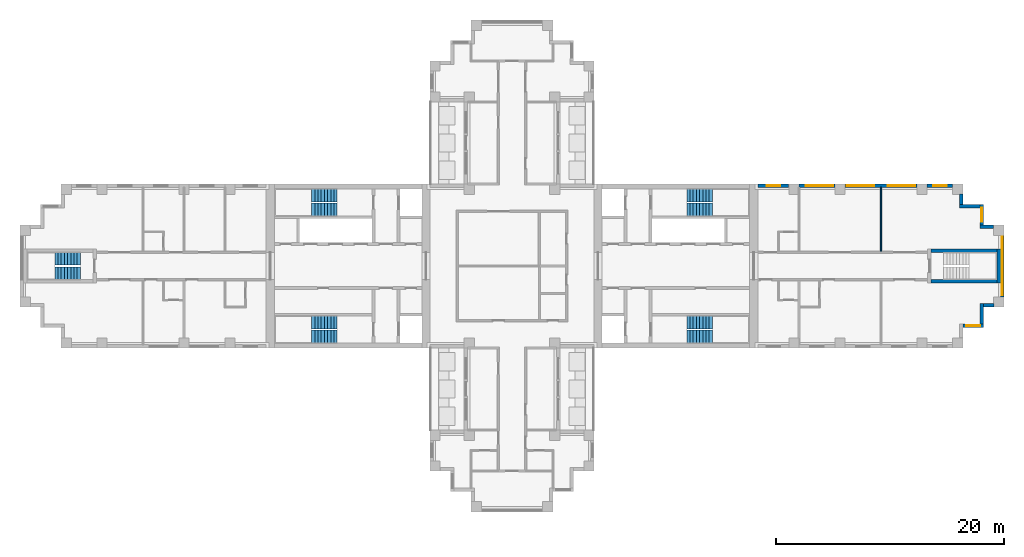
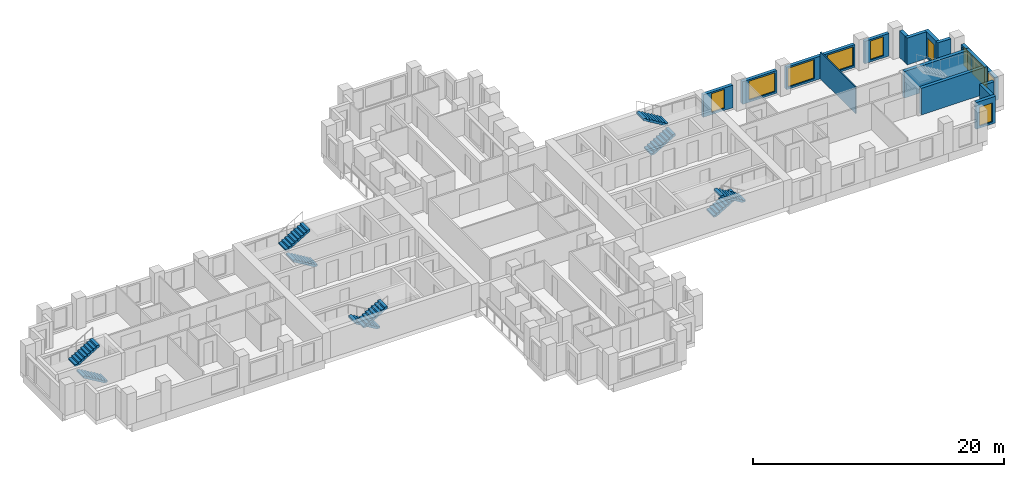
# One storey, part 9 of 12: 16 walls, 10 stair flights, 10 windows, 10 openings, 5 elements without a shape of their own.
"""IFC4 building model written with IfcOpenShell, lengths in metres."""

from ifc_helpers import new_model, si_unit, direction, frame, frame_2d, origin, place, context, subcontext, project, spatial, polyline, rectangle, outline, extrude, material, layer, layer_set, type_object, element, fill, aggregate, save


model = new_model("IFC4")

# Units and contexts
model_context = context("Model", 3, precision=1e-05, world=origin(), true_north=direction((0.0, 1.0)))
body_context = subcontext(model_context, "Body", "Model", "MODEL_VIEW")
ifc_project = project(units=[si_unit("LENGTHUNIT", "METRE"), si_unit("AREAUNIT", "SQUARE_METRE"), si_unit("VOLUMEUNIT", "CUBIC_METRE"), si_unit("PLANEANGLEUNIT", "RADIAN"), si_unit("MASSUNIT", "GRAM", prefix="KILO")], contexts=[model_context])

# Site, building, storey
site_placement = place(None, origin())
site = spatial("IfcSite", under=ifc_project, at=site_placement, CompositionType="ELEMENT")
building_placement = place(site_placement, origin())
building = spatial("IfcBuilding", under=site, at=building_placement, Name="Fustian Cross Tower", CompositionType="ELEMENT")
storey_placement = place(building_placement, frame((0.0, 0.0, 132.300048828125)))
storey = spatial("IfcBuildingStorey", under=building, at=storey_placement, Name="L41", CompositionType="ELEMENT", Elevation=132.300048828125)

# Walls
ifc_material_1 = material(Name="Plasterboard on steel stud", Category="steel")
ifc_layer_1 = layer(ifc_material_1, 0.10009765625)
ifc_layer_set_1 = layer_set([ifc_layer_1], Name="Plasterboard on steel stud")
wall_type_1 = type_object("IfcWallType", Name="PARTITION 100 STUD", PredefinedType="PARTITIONING", material=ifc_layer_set_1)
wall_1_placement = place(storey_placement, frame((32.39990234375, 1.27490234375, 0.0), z_axis=(0.0, 0.0, 1.0), x_axis=(0.0, 1.0, 0.0)))
element("IfcWall", 1, at=wall_1_placement, inside=storey, type_object=wall_type_1, Name="Partition 61", PredefinedType="PARTITIONING", context=body_context, shape_type="SweptSolid", body=[
    extrude(rectangle(XDim=5.625, YDim=0.10009765625, at=frame_2d((2.8125, 0.0))), origin(), (0.0, 0.0, 1.0), 2.599853515625),
])
ifc_material_2 = material(Name="Concrete C50/60", Category="concrete")
ifc_layer_2 = layer(ifc_material_2, 0.300048828125)
ifc_layer_set_2 = layer_set([ifc_layer_2], Name="Concrete C50/60")
wall_type_2 = type_object("IfcWallType", Name="STAIR ENCLOSURE WALL 300 C50/60", PredefinedType="SHEAR", material=ifc_layer_set_2)
wall_2_placement = place(storey_placement, frame((42.75, -1.5, 0.0), z_axis=(0.0, 0.0, 1.0), x_axis=(0.0, 1.0, 0.0)))
element("IfcWall", 2, at=wall_2_placement, inside=storey, type_object=wall_type_2, Name="Stair enclosure wall", PredefinedType="SHEAR", context=body_context, shape_type="SweptSolid", body=[
    extrude(rectangle(XDim=3.0, YDim=0.300048828125, at=frame_2d((1.5, 0.0))), origin(), (0.0, 0.0, 1.0), 2.599853515625),
])
for number, where, z_axis, x_axis, name in (
    (3, (36.800048828125, -1.35009765625, 0.0), (0.0, 0.0, 1.0), (1.0, 0.0, 0.0), "Stair enclosure wall"),
    (4, (36.800048828125, 1.35009765625, 0.0), (0.0, 0.0, 1.0), (1.0, 0.0, 0.0), "Stair enclosure wall"),
):
    element("IfcWall", number, at=place(storey_placement, frame(where, z_axis=z_axis, x_axis=x_axis)), inside=storey, type_object=wall_type_2, Name=name, PredefinedType="SHEAR", context=body_context, shape_type="SweptSolid", body=[
        extrude(rectangle(XDim=5.800048828125, YDim=0.300048828125, at=frame_2d((2.89990234375, 0.0))), origin(), (0.0, 0.0, 1.0), 2.599853515625),
    ])

# Wall, opening, window
ifc_material_3 = material(Name="Dark aluminium cladding on insulated backing wall", Category="aluminium")
ifc_layer_3 = layer(ifc_material_3, 0.300048828125)
ifc_layer_set_3 = layer_set([ifc_layer_3], Name="Dark aluminium cladding on insulated backing wall")
wall_type_3 = type_object("IfcWallType", Name="XW1 EXTERNAL WALL 300", PredefinedType="SOLIDWALL", material=ifc_layer_set_3)
wall_3_placement = place(storey_placement, frame((39.60009765625, -5.25, 0.0), z_axis=(0.0, 0.0, 1.0), x_axis=(1.0, 0.0, 0.0)))
wall_3 = element("IfcWall", 5, at=wall_3_placement, inside=storey, type_object=wall_type_3, Name="External wall", PredefinedType="SOLIDWALL", context=body_context, shape_type="SweptSolid", body=[
    extrude(rectangle(XDim=1.7998046875, YDim=0.300048828125, at=frame_2d((0.89990234375, 0.0))), origin(), (0.0, 0.0, 1.0), 2.599853515625),
])
opening_1_placement = place(wall_3_placement, frame((0.300048828125, 0.0, 0.199951171875)))
opening_1 = element("IfcOpeningElement", 6, at=opening_1_placement, cuts=wall_3, Name="Opening WN3", PredefinedType="OPENING", context=body_context, shape_type="SweptSolid", body=[
    extrude(rectangle(XDim=1.199951171875, YDim=1.85009765625, at=frame_2d((0.60009765625, 0.925048828125))), frame((0.0, 0.159912109375, 0.0), z_axis=(0.0, -1.0, 0.0), x_axis=(1.0, 0.0, 0.0)), (0.0, 0.0, 1.0), 0.320068359375),
])
ifc_material_4 = material(Name="Dark anodised aluminium and double glazing", Category="aluminium")
window_type_1 = type_object("IfcWindowType", Name="WN3 WINDOW 1200X1850", PartitioningType="SINGLE_PANEL", PredefinedType="WINDOW", material=ifc_material_4)
window_1_placement = place(opening_1_placement, origin())
window_1 = element("IfcWindow", 7, at=window_1_placement, inside=storey, type_object=window_type_1, Name="Window", OverallHeight=1.85009765625, OverallWidth=1.199951171875, PartitioningType="SINGLE_PANEL", PredefinedType="WINDOW", context=body_context, shape_type="SweptSolid", body=[
    extrude(rectangle(XDim=1.199951171875, YDim=1.85009765625, at=frame_2d((0.60009765625, 0.925048828125))), frame((0.0, 0.030029296875, 0.0), z_axis=(0.0, -1.0, 0.0), x_axis=(1.0, 0.0, 0.0)), (0.0, 0.0, 1.0), 0.06005859375),
])
fill(opening_1, window_1)

# Walls
wall_4_placement = place(storey_placement, frame((41.25, -5.10009765625, 0.0), z_axis=(0.0, 0.0, 1.0), x_axis=(0.0, 1.0, 0.0)))
element("IfcWall", 8, at=wall_4_placement, inside=storey, type_object=wall_type_3, Name="External wall", PredefinedType="SOLIDWALL", context=body_context, shape_type="SweptSolid", body=[
    extrude(rectangle(XDim=1.800048828125, YDim=0.300048828125, at=frame_2d((0.89990234375, 0.0))), origin(), (0.0, 0.0, 1.0), 2.599853515625),
])
wall_5_placement = place(storey_placement, frame((41.39990234375, -3.449951171875, 0.0), z_axis=(0.0, 0.0, 1.0), x_axis=(1.0, 0.0, 0.0)))
element("IfcWall", 9, at=wall_5_placement, inside=storey, type_object=wall_type_3, Name="External wall", PredefinedType="SOLIDWALL", context=body_context, shape_type="SweptSolid", body=[
    extrude(rectangle(XDim=0.900146484375, YDim=0.300048828125, at=frame_2d((0.4501953125, 0.0))), origin(), (0.0, 0.0, 1.0), 2.599853515625),
])

# Wall, openings, windows
wall_6_placement = place(storey_placement, frame((43.050048828125, -2.699951171875, 0.0), z_axis=(0.0, 0.0, 1.0), x_axis=(0.0, 1.0, 0.0)))
wall_6 = element("IfcWall", 10, at=wall_6_placement, inside=storey, type_object=wall_type_3, Name="External wall", PredefinedType="SOLIDWALL", context=body_context, shape_type="SweptSolid", body=[
    extrude(rectangle(XDim=5.39990234375, YDim=0.300048828125, at=frame_2d((2.699951171875, 0.0))), origin(), (0.0, 0.0, 1.0), 2.199951171875),
])
opening_2_placement = place(wall_6_placement, frame((1.5, 0.0, 0.199951171875)))
opening_2 = element("IfcOpeningElement", 11, at=opening_2_placement, cuts=wall_6, Name="Opening WN1", PredefinedType="OPENING", context=body_context, shape_type="SweptSolid", body=[
    extrude(rectangle(XDim=2.39990234375, YDim=1.85009765625, at=frame_2d((1.199951171875, 0.925048828125))), frame((0.0, 0.159912109375, 0.0), z_axis=(0.0, -1.0, 0.0), x_axis=(1.0, 0.0, 0.0)), (0.0, 0.0, 1.0), 0.320068359375),
])
opening_3_placement = place(wall_6_placement, frame((0.14990234375, 0.0, 0.199951171875)))
opening_3 = element("IfcOpeningElement", 12, at=opening_3_placement, cuts=wall_6, Name="Opening WN3", PredefinedType="OPENING", context=body_context, shape_type="SweptSolid", body=[
    extrude(rectangle(XDim=1.199951171875, YDim=1.85009765625, at=frame_2d((0.60009765625, 0.925048828125))), frame((0.0, 0.159912109375, 0.0), z_axis=(0.0, -1.0, 0.0), x_axis=(1.0, 0.0, 0.0)), (0.0, 0.0, 1.0), 0.320068359375),
])
opening_4_placement = place(wall_6_placement, frame((4.050048828125, 0.0, 0.199951171875)))
opening_4 = element("IfcOpeningElement", 13, at=opening_4_placement, cuts=wall_6, Name="Opening WN3", PredefinedType="OPENING", context=body_context, shape_type="SweptSolid", body=[
    extrude(rectangle(XDim=1.199951171875, YDim=1.85009765625, at=frame_2d((0.60009765625, 0.925048828125))), frame((0.0, 0.159912109375, 0.0), z_axis=(0.0, -1.0, 0.0), x_axis=(1.0, 0.0, 0.0)), (0.0, 0.0, 1.0), 0.320068359375),
])
ifc_material_5 = material(Name="Dark anodised aluminium and double glazing", Category="aluminium")
window_type_2 = type_object("IfcWindowType", Name="WN1 WINDOW 2400X1850", PartitioningType="SINGLE_PANEL", PredefinedType="WINDOW", material=ifc_material_5)
window_2_placement = place(opening_2_placement, origin())
window_2 = element("IfcWindow", 14, at=window_2_placement, inside=storey, type_object=window_type_2, Name="Window", OverallHeight=1.85009765625, OverallWidth=2.39990234375, PartitioningType="SINGLE_PANEL", PredefinedType="WINDOW", context=body_context, shape_type="SweptSolid", body=[
    extrude(rectangle(XDim=2.39990234375, YDim=1.85009765625, at=frame_2d((1.199951171875, 0.925048828125))), frame((0.0, 0.030029296875, 0.0), z_axis=(0.0, -1.0, 0.0), x_axis=(1.0, 0.0, 0.0)), (0.0, 0.0, 1.0), 0.06005859375),
])
fill(opening_2, window_2)
window_3_placement = place(opening_3_placement, origin())
window_3 = element("IfcWindow", 15, at=window_3_placement, inside=storey, type_object=window_type_1, Name="Window", OverallHeight=1.85009765625, OverallWidth=1.199951171875, PartitioningType="SINGLE_PANEL", PredefinedType="WINDOW", context=body_context, shape_type="SweptSolid", body=[
    extrude(rectangle(XDim=1.199951171875, YDim=1.85009765625, at=frame_2d((0.60009765625, 0.925048828125))), frame((0.0, 0.030029296875, 0.0), z_axis=(0.0, -1.0, 0.0), x_axis=(1.0, 0.0, 0.0)), (0.0, 0.0, 1.0), 0.06005859375),
])
fill(opening_3, window_3)
window_4_placement = place(opening_4_placement, origin())
window_4 = element("IfcWindow", 16, at=window_4_placement, inside=storey, type_object=window_type_1, Name="Window", OverallHeight=1.85009765625, OverallWidth=1.199951171875, PartitioningType="SINGLE_PANEL", PredefinedType="WINDOW", context=body_context, shape_type="SweptSolid", body=[
    extrude(rectangle(XDim=1.199951171875, YDim=1.85009765625, at=frame_2d((0.60009765625, 0.925048828125))), frame((0.0, 0.030029296875, 0.0), z_axis=(0.0, -1.0, 0.0), x_axis=(1.0, 0.0, 0.0)), (0.0, 0.0, 1.0), 0.06005859375),
])
fill(opening_4, window_4)

# Wall
wall_7_placement = place(storey_placement, frame((42.300048828125, 3.449951171875, 0.0), z_axis=(0.0, 0.0, 1.0), x_axis=(-1.0, 0.0, 0.0)))
element("IfcWall", 17, at=wall_7_placement, inside=storey, type_object=wall_type_3, Name="External wall", PredefinedType="SOLIDWALL", context=body_context, shape_type="SweptSolid", body=[
    extrude(rectangle(XDim=1.199951171875, YDim=0.300048828125, at=frame_2d((0.60009765625, 0.0))), origin(), (0.0, 0.0, 1.0), 2.599853515625),
])

# Wall, opening, window
wall_8_placement = place(storey_placement, frame((41.25, 3.60009765625, 0.0), z_axis=(0.0, 0.0, 1.0), x_axis=(0.0, 1.0, 0.0)))
wall_8 = element("IfcWall", 18, at=wall_8_placement, inside=storey, type_object=wall_type_3, Name="External wall", PredefinedType="SOLIDWALL", context=body_context, shape_type="SweptSolid", body=[
    extrude(rectangle(XDim=1.7998046875, YDim=0.300048828125, at=frame_2d((0.89990234375, 0.0))), origin(), (0.0, 0.0, 1.0), 2.599853515625),
])
opening_5_placement = place(wall_8_placement, frame((0.300048828125, 0.0, 0.199951171875)))
opening_5 = element("IfcOpeningElement", 19, at=opening_5_placement, cuts=wall_8, Name="Opening WN3", PredefinedType="OPENING", context=body_context, shape_type="SweptSolid", body=[
    extrude(rectangle(XDim=1.199951171875, YDim=1.85009765625, at=frame_2d((0.60009765625, 0.925048828125))), frame((0.0, 0.159912109375, 0.0), z_axis=(0.0, -1.0, 0.0), x_axis=(1.0, 0.0, 0.0)), (0.0, 0.0, 1.0), 0.320068359375),
])
window_5_placement = place(opening_5_placement, origin())
window_5 = element("IfcWindow", 20, at=window_5_placement, inside=storey, type_object=window_type_1, Name="Window", OverallHeight=1.85009765625, OverallWidth=1.199951171875, PartitioningType="SINGLE_PANEL", PredefinedType="WINDOW", context=body_context, shape_type="SweptSolid", body=[
    extrude(rectangle(XDim=1.199951171875, YDim=1.85009765625, at=frame_2d((0.60009765625, 0.925048828125))), frame((0.0, 0.030029296875, 0.0), z_axis=(0.0, -1.0, 0.0), x_axis=(1.0, 0.0, 0.0)), (0.0, 0.0, 1.0), 0.06005859375),
])
fill(opening_5, window_5)

# Walls
wall_9_placement = place(storey_placement, frame((41.10009765625, 5.25, 0.0), z_axis=(0.0, 0.0, 1.0), x_axis=(-1.0, 0.0, 0.0)))
element("IfcWall", 21, at=wall_9_placement, inside=storey, type_object=wall_type_3, Name="External wall", PredefinedType="SOLIDWALL", context=body_context, shape_type="SweptSolid", body=[
    extrude(rectangle(XDim=1.800048828125, YDim=0.300048828125, at=frame_2d((0.89990234375, 0.0))), origin(), (0.0, 0.0, 1.0), 2.599853515625),
])
wall_10_placement = place(storey_placement, frame((39.449951171875, 5.39990234375, 0.0), z_axis=(0.0, 0.0, 1.0), x_axis=(0.0, 1.0, 0.0)))
element("IfcWall", 22, at=wall_10_placement, inside=storey, type_object=wall_type_3, Name="External wall", PredefinedType="SOLIDWALL", context=body_context, shape_type="SweptSolid", body=[
    extrude(rectangle(XDim=0.900146484375, YDim=0.300048828125, at=frame_2d((0.4501953125, 0.0))), origin(), (0.0, 0.0, 1.0), 2.599853515625),
])

# Wall, opening, window
wall_11_placement = place(storey_placement, frame((38.699951171875, 7.050048828125, 0.0), z_axis=(0.0, 0.0, 1.0), x_axis=(-1.0, 0.0, 0.0)))
wall_11 = element("IfcWall", 23, at=wall_11_placement, inside=storey, type_object=wall_type_3, Name="External wall", PredefinedType="SOLIDWALL", context=body_context, shape_type="SweptSolid", body=[
    extrude(rectangle(XDim=2.25, YDim=0.300048828125, at=frame_2d((1.125, 0.0))), origin(), (0.0, 0.0, 1.0), 2.199951171875),
])
opening_6_placement = place(wall_11_placement, frame((0.52490234375, 0.0, 0.199951171875)))
opening_6 = element("IfcOpeningElement", 24, at=opening_6_placement, cuts=wall_11, Name="Opening WN3", PredefinedType="OPENING", context=body_context, shape_type="SweptSolid", body=[
    extrude(rectangle(XDim=1.199951171875, YDim=1.85009765625, at=frame_2d((0.60009765625, 0.925048828125))), frame((0.0, 0.159912109375, 0.0), z_axis=(0.0, -1.0, 0.0), x_axis=(1.0, 0.0, 0.0)), (0.0, 0.0, 1.0), 0.320068359375),
])
window_6_placement = place(opening_6_placement, origin())
window_6 = element("IfcWindow", 25, at=window_6_placement, inside=storey, type_object=window_type_1, Name="Window", OverallHeight=1.85009765625, OverallWidth=1.199951171875, PartitioningType="SINGLE_PANEL", PredefinedType="WINDOW", context=body_context, shape_type="SweptSolid", body=[
    extrude(rectangle(XDim=1.199951171875, YDim=1.85009765625, at=frame_2d((0.60009765625, 0.925048828125))), frame((0.0, 0.030029296875, 0.0), z_axis=(0.0, -1.0, 0.0), x_axis=(1.0, 0.0, 0.0)), (0.0, 0.0, 1.0), 0.06005859375),
])
fill(opening_6, window_6)

# Wall, openings, windows
wall_12_placement = place(storey_placement, frame((35.550048828125, 7.050048828125, 0.0), z_axis=(0.0, 0.0, 1.0), x_axis=(-1.0, 0.0, 0.0)))
wall_12 = element("IfcWall", 26, at=wall_12_placement, inside=storey, type_object=wall_type_3, Name="External wall", PredefinedType="SOLIDWALL", context=body_context, shape_type="SweptSolid", body=[
    extrude(rectangle(XDim=6.300048828125, YDim=0.300048828125, at=frame_2d((3.14990234375, 0.0))), origin(), (0.0, 0.0, 1.0), 2.199951171875),
])
opening_7_placement = place(wall_12_placement, frame((0.14990234375, 0.0, 0.199951171875)))
opening_7 = element("IfcOpeningElement", 27, at=opening_7_placement, cuts=wall_12, Name="Opening WN1", PredefinedType="OPENING", context=body_context, shape_type="SweptSolid", body=[
    extrude(rectangle(XDim=2.39990234375, YDim=1.85009765625, at=frame_2d((1.199951171875, 0.925048828125))), frame((0.0, 0.159912109375, 0.0), z_axis=(0.0, -1.0, 0.0), x_axis=(1.0, 0.0, 0.0)), (0.0, 0.0, 1.0), 0.320068359375),
])
opening_8_placement = place(wall_12_placement, frame((3.75, 0.0, 0.199951171875)))
opening_8 = element("IfcOpeningElement", 28, at=opening_8_placement, cuts=wall_12, Name="Opening WN1", PredefinedType="OPENING", context=body_context, shape_type="SweptSolid", body=[
    extrude(rectangle(XDim=2.39990234375, YDim=1.85009765625, at=frame_2d((1.199951171875, 0.925048828125))), frame((0.0, 0.159912109375, 0.0), z_axis=(0.0, -1.0, 0.0), x_axis=(1.0, 0.0, 0.0)), (0.0, 0.0, 1.0), 0.320068359375),
])
window_7_placement = place(opening_7_placement, origin())
window_7 = element("IfcWindow", 29, at=window_7_placement, inside=storey, type_object=window_type_2, Name="Window", OverallHeight=1.85009765625, OverallWidth=2.39990234375, PartitioningType="SINGLE_PANEL", PredefinedType="WINDOW", context=body_context, shape_type="SweptSolid", body=[
    extrude(rectangle(XDim=2.39990234375, YDim=1.85009765625, at=frame_2d((1.199951171875, 0.925048828125))), frame((0.0, 0.030029296875, 0.0), z_axis=(0.0, -1.0, 0.0), x_axis=(1.0, 0.0, 0.0)), (0.0, 0.0, 1.0), 0.06005859375),
])
fill(opening_7, window_7)
window_8_placement = place(opening_8_placement, origin())
window_8 = element("IfcWindow", 30, at=window_8_placement, inside=storey, type_object=window_type_2, Name="Window", OverallHeight=1.85009765625, OverallWidth=2.39990234375, PartitioningType="SINGLE_PANEL", PredefinedType="WINDOW", context=body_context, shape_type="SweptSolid", body=[
    extrude(rectangle(XDim=2.39990234375, YDim=1.85009765625, at=frame_2d((1.199951171875, 0.925048828125))), frame((0.0, 0.030029296875, 0.0), z_axis=(0.0, -1.0, 0.0), x_axis=(1.0, 0.0, 0.0)), (0.0, 0.0, 1.0), 0.06005859375),
])
fill(opening_8, window_8)

# Wall, opening, window
wall_13_placement = place(storey_placement, frame((28.35009765625, 7.050048828125, 0.0), z_axis=(0.0, 0.0, 1.0), x_axis=(-1.0, 0.0, 0.0)))
wall_13 = element("IfcWall", 31, at=wall_13_placement, inside=storey, type_object=wall_type_3, Name="External wall", PredefinedType="SOLIDWALL", context=body_context, shape_type="SweptSolid", body=[
    extrude(rectangle(XDim=3.150146484375, YDim=0.300048828125, at=frame_2d((1.5751953125, 0.0))), origin(), (0.0, 0.0, 1.0), 2.199951171875),
])
opening_9_placement = place(wall_13_placement, frame((0.14990234375, 0.0, 0.199951171875)))
opening_9 = element("IfcOpeningElement", 32, at=opening_9_placement, cuts=wall_13, Name="Opening WN1", PredefinedType="OPENING", context=body_context, shape_type="SweptSolid", body=[
    extrude(rectangle(XDim=2.39990234375, YDim=1.85009765625, at=frame_2d((1.199951171875, 0.925048828125))), frame((0.0, 0.159912109375, 0.0), z_axis=(0.0, -1.0, 0.0), x_axis=(1.0, 0.0, 0.0)), (0.0, 0.0, 1.0), 0.320068359375),
])
window_9_placement = place(opening_9_placement, origin())
window_9 = element("IfcWindow", 33, at=window_9_placement, inside=storey, type_object=window_type_2, Name="Window", OverallHeight=1.85009765625, OverallWidth=2.39990234375, PartitioningType="SINGLE_PANEL", PredefinedType="WINDOW", context=body_context, shape_type="SweptSolid", body=[
    extrude(rectangle(XDim=2.39990234375, YDim=1.85009765625, at=frame_2d((1.199951171875, 0.925048828125))), frame((0.0, 0.030029296875, 0.0), z_axis=(0.0, -1.0, 0.0), x_axis=(1.0, 0.0, 0.0)), (0.0, 0.0, 1.0), 0.06005859375),
])
fill(opening_9, window_9)

wall_14_placement = place(storey_placement, frame((24.300048828125, 7.050048828125, 0.0), z_axis=(0.0, 0.0, 1.0), x_axis=(-1.0, 0.0, 0.0)))
wall_14 = element("IfcWall", 34, at=wall_14_placement, inside=storey, type_object=wall_type_3, Name="External wall", PredefinedType="SOLIDWALL", context=body_context, shape_type="SweptSolid", body=[
    extrude(rectangle(XDim=2.699951171875, YDim=0.300048828125, at=frame_2d((1.35009765625, 0.0))), origin(), (0.0, 0.0, 1.0), 2.199951171875),
])
opening_10_placement = place(wall_14_placement, frame((0.75, 0.0, 0.199951171875)))
opening_10 = element("IfcOpeningElement", 35, at=opening_10_placement, cuts=wall_14, Name="Opening WN3", PredefinedType="OPENING", context=body_context, shape_type="SweptSolid", body=[
    extrude(rectangle(XDim=1.199951171875, YDim=1.85009765625, at=frame_2d((0.60009765625, 0.925048828125))), frame((0.0, 0.159912109375, 0.0), z_axis=(0.0, -1.0, 0.0), x_axis=(1.0, 0.0, 0.0)), (0.0, 0.0, 1.0), 0.320068359375),
])
window_10_placement = place(opening_10_placement, origin())
window_10 = element("IfcWindow", 36, at=window_10_placement, inside=storey, type_object=window_type_1, Name="Window", OverallHeight=1.85009765625, OverallWidth=1.199951171875, PartitioningType="SINGLE_PANEL", PredefinedType="WINDOW", context=body_context, shape_type="SweptSolid", body=[
    extrude(rectangle(XDim=1.199951171875, YDim=1.85009765625, at=frame_2d((0.60009765625, 0.925048828125))), frame((0.0, 0.030029296875, 0.0), z_axis=(0.0, -1.0, 0.0), x_axis=(1.0, 0.0, 0.0)), (0.0, 0.0, 1.0), 0.06005859375),
])
fill(opening_10, window_10)

# Stair, stair flights
ifc_material_6 = material(Name="Concrete C50/60", Category="concrete")
stair_type_1 = type_object("IfcStairType", Name="STAIR 1100 HALF TURN", PredefinedType="HALF_TURN_STAIR", material=ifc_material_6)
stair_1_placement = place(storey_placement, origin())
stair_1 = element("IfcStair", 37, at=stair_1_placement, inside=storey, type_object=stair_type_1, Name="Stair ST9", PredefinedType="HALF_TURN_STAIR")
ifc_material_7 = material(Name="Concrete C50/60", Category="concrete")
stair_flight_type_1 = type_object("IfcStairFlightType", Name="STAIR FLIGHT 1100", PredefinedType="STRAIGHT", material=ifc_material_7)
stair_flight_1_placement = place(storey_placement, frame((-37.89990234375, -0.64990234375, 0.0), z_axis=(0.0, 0.0, 1.0), x_axis=(-1.0, 0.0, 0.0)))
stair_flight_1 = element("IfcStairFlight", 38, at=stair_flight_1_placement, type_object=stair_flight_type_1, Name="ST9 flight 1", NumberOfRisers=9, NumberOfTreads=8, PredefinedType="STRAIGHT", RiserHeight=0.166666667, TreadLength=0.28, context=body_context, shape_type="SweptSolid", body=[
    extrude(outline(polyline([(0.0, 0.0), (0.0, 0.166748046875), (0.280029296875, 0.166748046875), (0.280029296875, 0.333251953125), (0.56005859375, 0.333251953125), (0.56005859375, 0.5), (0.840087890625, 0.5), (0.840087890625, 0.666748046875), (1.1201171875, 0.666748046875), (1.1201171875, 0.833251953125), (1.39990234375, 0.833251953125), (1.39990234375, 1.0), (1.679931640625, 1.0), (1.679931640625, 1.166748046875), (1.9599609375, 1.166748046875), (1.9599609375, 1.333251953125), (2.239990234375, 1.333251953125), (2.239990234375, 1.5), (2.239990234375, 1.158935546875), (0.29296875, 0.0), (0.0, 0.0)])), frame((0.0, 0.550048828125, 0.0), z_axis=(0.0, -1.0, 0.0), x_axis=(1.0, 0.0, 0.0)), (0.0, 0.0, 1.0), 1.10009765625),
])
stair_flight_2_placement = place(storey_placement, frame((-40.139892578125, 0.64990234375, 1.5), z_axis=(0.0, 0.0, 1.0), x_axis=(1.0, 0.0, 0.0)))
stair_flight_2 = element("IfcStairFlight", 39, at=stair_flight_2_placement, type_object=stair_flight_type_1, Name="ST9 flight 2", NumberOfRisers=9, NumberOfTreads=8, PredefinedType="STRAIGHT", RiserHeight=0.166666667, TreadLength=0.28, context=body_context, shape_type="SweptSolid", body=[
    extrude(outline(polyline([(0.0, 0.0), (0.0, 0.166748046875), (0.280029296875, 0.166748046875), (0.280029296875, 0.333251953125), (0.56005859375, 0.333251953125), (0.56005859375, 0.5), (0.840087890625, 0.5), (0.840087890625, 0.666748046875), (1.1201171875, 0.666748046875), (1.1201171875, 0.833251953125), (1.39990234375, 0.833251953125), (1.39990234375, 1.0), (1.679931640625, 1.0), (1.679931640625, 1.166748046875), (1.9599609375, 1.166748046875), (1.9599609375, 1.333251953125), (2.239990234375, 1.333251953125), (2.239990234375, 1.5), (2.239990234375, 1.158935546875), (0.29296875, 0.0), (0.0, 0.0)])), frame((0.0, 0.550048828125, 0.0), z_axis=(0.0, -1.0, 0.0), x_axis=(1.0, 0.0, 0.0)), (0.0, 0.0, 1.0), 1.10009765625),
])
aggregate(stair_1, [stair_flight_1, stair_flight_2])

ifc_material_8 = material(Name="Concrete C50/60", Category="concrete")
stair_type_2 = type_object("IfcStairType", Name="STAIR 1150 HALF TURN", PredefinedType="HALF_TURN_STAIR", material=ifc_material_8)
stair_2_placement = place(storey_placement, origin())
stair_2 = element("IfcStair", 40, at=stair_2_placement, inside=storey, type_object=stair_type_2, Name="Stair ST1", PredefinedType="HALF_TURN_STAIR")
ifc_material_9 = material(Name="Concrete C50/60", Category="concrete")
stair_flight_type_2 = type_object("IfcStairFlightType", Name="STAIR FLIGHT 1150", PredefinedType="STRAIGHT", material=ifc_material_9)
stair_flight_3_placement = place(storey_placement, frame((15.35009765625, 4.97509765625, 0.0), z_axis=(0.0, 0.0, 1.0), x_axis=(1.0, 0.0, 0.0)))
stair_flight_3 = element("IfcStairFlight", 41, at=stair_flight_3_placement, type_object=stair_flight_type_2, Name="ST1 flight 1", NumberOfRisers=9, NumberOfTreads=8, PredefinedType="STRAIGHT", RiserHeight=0.166666667, TreadLength=0.28, context=body_context, shape_type="SweptSolid", body=[
    extrude(outline(polyline([(0.0, 0.0), (0.0, 0.166748046875), (0.280029296875, 0.166748046875), (0.280029296875, 0.333251953125), (0.56005859375, 0.333251953125), (0.56005859375, 0.5), (0.840087890625, 0.5), (0.840087890625, 0.666748046875), (1.1201171875, 0.666748046875), (1.1201171875, 0.833251953125), (1.39990234375, 0.833251953125), (1.39990234375, 1.0), (1.679931640625, 1.0), (1.679931640625, 1.166748046875), (1.9599609375, 1.166748046875), (1.9599609375, 1.333251953125), (2.239990234375, 1.333251953125), (2.239990234375, 1.5), (2.239990234375, 1.158935546875), (0.29296875, 0.0), (0.0, 0.0)])), frame((0.0, 0.574951171875, 0.0), z_axis=(0.0, -1.0, 0.0), x_axis=(1.0, 0.0, 0.0)), (0.0, 0.0, 1.0), 1.14990234375),
])
stair_flight_4_placement = place(storey_placement, frame((17.590087890625, 6.175048828125, 1.5), z_axis=(0.0, 0.0, 1.0), x_axis=(-1.0, 0.0, 0.0)))
stair_flight_4 = element("IfcStairFlight", 42, at=stair_flight_4_placement, type_object=stair_flight_type_2, Name="ST1 flight 2", NumberOfRisers=9, NumberOfTreads=8, PredefinedType="STRAIGHT", RiserHeight=0.166666667, TreadLength=0.28, context=body_context, shape_type="SweptSolid", body=[
    extrude(outline(polyline([(0.0, 0.0), (0.0, 0.166748046875), (0.280029296875, 0.166748046875), (0.280029296875, 0.333251953125), (0.56005859375, 0.333251953125), (0.56005859375, 0.5), (0.840087890625, 0.5), (0.840087890625, 0.666748046875), (1.1201171875, 0.666748046875), (1.1201171875, 0.833251953125), (1.39990234375, 0.833251953125), (1.39990234375, 1.0), (1.679931640625, 1.0), (1.679931640625, 1.166748046875), (1.9599609375, 1.166748046875), (1.9599609375, 1.333251953125), (2.239990234375, 1.333251953125), (2.239990234375, 1.5), (2.239990234375, 1.158935546875), (0.29296875, 0.0), (0.0, 0.0)])), frame((0.0, 0.574951171875, 0.0), z_axis=(0.0, -1.0, 0.0), x_axis=(1.0, 0.0, 0.0)), (0.0, 0.0, 1.0), 1.14990234375),
])
aggregate(stair_2, [stair_flight_3, stair_flight_4])

stair_3_placement = place(storey_placement, origin())
stair_3 = element("IfcStair", 43, at=stair_3_placement, inside=storey, type_object=stair_type_2, Name="Stair ST2", PredefinedType="HALF_TURN_STAIR")
stair_flight_5_placement = place(storey_placement, frame((15.35009765625, -4.97509765625, 0.0), z_axis=(0.0, 0.0, 1.0), x_axis=(1.0, 0.0, 0.0)))
stair_flight_5 = element("IfcStairFlight", 44, at=stair_flight_5_placement, type_object=stair_flight_type_2, Name="ST2 flight 1", NumberOfRisers=9, NumberOfTreads=8, PredefinedType="STRAIGHT", RiserHeight=0.166666667, TreadLength=0.28, context=body_context, shape_type="SweptSolid", body=[
    extrude(outline(polyline([(0.0, 0.0), (0.0, 0.166748046875), (0.280029296875, 0.166748046875), (0.280029296875, 0.333251953125), (0.56005859375, 0.333251953125), (0.56005859375, 0.5), (0.840087890625, 0.5), (0.840087890625, 0.666748046875), (1.1201171875, 0.666748046875), (1.1201171875, 0.833251953125), (1.39990234375, 0.833251953125), (1.39990234375, 1.0), (1.679931640625, 1.0), (1.679931640625, 1.166748046875), (1.9599609375, 1.166748046875), (1.9599609375, 1.333251953125), (2.239990234375, 1.333251953125), (2.239990234375, 1.5), (2.239990234375, 1.158935546875), (0.29296875, 0.0), (0.0, 0.0)])), frame((0.0, 0.574951171875, 0.0), z_axis=(0.0, -1.0, 0.0), x_axis=(1.0, 0.0, 0.0)), (0.0, 0.0, 1.0), 1.14990234375),
])
stair_flight_6_placement = place(storey_placement, frame((17.590087890625, -6.175048828125, 1.5), z_axis=(0.0, 0.0, 1.0), x_axis=(-1.0, 0.0, 0.0)))
stair_flight_6 = element("IfcStairFlight", 45, at=stair_flight_6_placement, type_object=stair_flight_type_2, Name="ST2 flight 2", NumberOfRisers=9, NumberOfTreads=8, PredefinedType="STRAIGHT", RiserHeight=0.166666667, TreadLength=0.28, context=body_context, shape_type="SweptSolid", body=[
    extrude(outline(polyline([(0.0, 0.0), (0.0, 0.166748046875), (0.280029296875, 0.166748046875), (0.280029296875, 0.333251953125), (0.56005859375, 0.333251953125), (0.56005859375, 0.5), (0.840087890625, 0.5), (0.840087890625, 0.666748046875), (1.1201171875, 0.666748046875), (1.1201171875, 0.833251953125), (1.39990234375, 0.833251953125), (1.39990234375, 1.0), (1.679931640625, 1.0), (1.679931640625, 1.166748046875), (1.9599609375, 1.166748046875), (1.9599609375, 1.333251953125), (2.239990234375, 1.333251953125), (2.239990234375, 1.5), (2.239990234375, 1.158935546875), (0.29296875, 0.0), (0.0, 0.0)])), frame((0.0, 0.574951171875, 0.0), z_axis=(0.0, -1.0, 0.0), x_axis=(1.0, 0.0, 0.0)), (0.0, 0.0, 1.0), 1.14990234375),
])
aggregate(stair_3, [stair_flight_5, stair_flight_6])

stair_4_placement = place(storey_placement, origin())
stair_4 = element("IfcStair", 46, at=stair_4_placement, inside=storey, type_object=stair_type_2, Name="Stair ST3", PredefinedType="HALF_TURN_STAIR")
stair_flight_7_placement = place(storey_placement, frame((-15.35009765625, 4.97509765625, 0.0), z_axis=(0.0, 0.0, 1.0), x_axis=(-1.0, 0.0, 0.0)))
stair_flight_7 = element("IfcStairFlight", 47, at=stair_flight_7_placement, type_object=stair_flight_type_2, Name="ST3 flight 1", NumberOfRisers=9, NumberOfTreads=8, PredefinedType="STRAIGHT", RiserHeight=0.166666667, TreadLength=0.28, context=body_context, shape_type="SweptSolid", body=[
    extrude(outline(polyline([(0.0, 0.0), (0.0, 0.166748046875), (0.280029296875, 0.166748046875), (0.280029296875, 0.333251953125), (0.56005859375, 0.333251953125), (0.56005859375, 0.5), (0.840087890625, 0.5), (0.840087890625, 0.666748046875), (1.1201171875, 0.666748046875), (1.1201171875, 0.833251953125), (1.39990234375, 0.833251953125), (1.39990234375, 1.0), (1.679931640625, 1.0), (1.679931640625, 1.166748046875), (1.9599609375, 1.166748046875), (1.9599609375, 1.333251953125), (2.239990234375, 1.333251953125), (2.239990234375, 1.5), (2.239990234375, 1.158935546875), (0.29296875, 0.0), (0.0, 0.0)])), frame((0.0, 0.574951171875, 0.0), z_axis=(0.0, -1.0, 0.0), x_axis=(1.0, 0.0, 0.0)), (0.0, 0.0, 1.0), 1.14990234375),
])
stair_flight_8_placement = place(storey_placement, frame((-17.590087890625, 6.175048828125, 1.5), z_axis=(0.0, 0.0, 1.0), x_axis=(1.0, 0.0, 0.0)))
stair_flight_8 = element("IfcStairFlight", 48, at=stair_flight_8_placement, type_object=stair_flight_type_2, Name="ST3 flight 2", NumberOfRisers=9, NumberOfTreads=8, PredefinedType="STRAIGHT", RiserHeight=0.166666667, TreadLength=0.28, context=body_context, shape_type="SweptSolid", body=[
    extrude(outline(polyline([(0.0, 0.0), (0.0, 0.166748046875), (0.280029296875, 0.166748046875), (0.280029296875, 0.333251953125), (0.56005859375, 0.333251953125), (0.56005859375, 0.5), (0.840087890625, 0.5), (0.840087890625, 0.666748046875), (1.1201171875, 0.666748046875), (1.1201171875, 0.833251953125), (1.39990234375, 0.833251953125), (1.39990234375, 1.0), (1.679931640625, 1.0), (1.679931640625, 1.166748046875), (1.9599609375, 1.166748046875), (1.9599609375, 1.333251953125), (2.239990234375, 1.333251953125), (2.239990234375, 1.5), (2.239990234375, 1.158935546875), (0.29296875, 0.0), (0.0, 0.0)])), frame((0.0, 0.574951171875, 0.0), z_axis=(0.0, -1.0, 0.0), x_axis=(1.0, 0.0, 0.0)), (0.0, 0.0, 1.0), 1.14990234375),
])
aggregate(stair_4, [stair_flight_7, stair_flight_8])

stair_5_placement = place(storey_placement, origin())
stair_5 = element("IfcStair", 49, at=stair_5_placement, inside=storey, type_object=stair_type_2, Name="Stair ST4", PredefinedType="HALF_TURN_STAIR")
stair_flight_9_placement = place(storey_placement, frame((-15.35009765625, -4.97509765625, 0.0), z_axis=(0.0, 0.0, 1.0), x_axis=(-1.0, 0.0, 0.0)))
stair_flight_9 = element("IfcStairFlight", 50, at=stair_flight_9_placement, type_object=stair_flight_type_2, Name="ST4 flight 1", NumberOfRisers=9, NumberOfTreads=8, PredefinedType="STRAIGHT", RiserHeight=0.166666667, TreadLength=0.28, context=body_context, shape_type="SweptSolid", body=[
    extrude(outline(polyline([(0.0, 0.0), (0.0, 0.166748046875), (0.280029296875, 0.166748046875), (0.280029296875, 0.333251953125), (0.56005859375, 0.333251953125), (0.56005859375, 0.5), (0.840087890625, 0.5), (0.840087890625, 0.666748046875), (1.1201171875, 0.666748046875), (1.1201171875, 0.833251953125), (1.39990234375, 0.833251953125), (1.39990234375, 1.0), (1.679931640625, 1.0), (1.679931640625, 1.166748046875), (1.9599609375, 1.166748046875), (1.9599609375, 1.333251953125), (2.239990234375, 1.333251953125), (2.239990234375, 1.5), (2.239990234375, 1.158935546875), (0.29296875, 0.0), (0.0, 0.0)])), frame((0.0, 0.574951171875, 0.0), z_axis=(0.0, -1.0, 0.0), x_axis=(1.0, 0.0, 0.0)), (0.0, 0.0, 1.0), 1.14990234375),
])
stair_flight_10_placement = place(storey_placement, frame((-17.590087890625, -6.175048828125, 1.5), z_axis=(0.0, 0.0, 1.0), x_axis=(1.0, 0.0, 0.0)))
stair_flight_10 = element("IfcStairFlight", 51, at=stair_flight_10_placement, type_object=stair_flight_type_2, Name="ST4 flight 2", NumberOfRisers=9, NumberOfTreads=8, PredefinedType="STRAIGHT", RiserHeight=0.166666667, TreadLength=0.28, context=body_context, shape_type="SweptSolid", body=[
    extrude(outline(polyline([(0.0, 0.0), (0.0, 0.166748046875), (0.280029296875, 0.166748046875), (0.280029296875, 0.333251953125), (0.56005859375, 0.333251953125), (0.56005859375, 0.5), (0.840087890625, 0.5), (0.840087890625, 0.666748046875), (1.1201171875, 0.666748046875), (1.1201171875, 0.833251953125), (1.39990234375, 0.833251953125), (1.39990234375, 1.0), (1.679931640625, 1.0), (1.679931640625, 1.166748046875), (1.9599609375, 1.166748046875), (1.9599609375, 1.333251953125), (2.239990234375, 1.333251953125), (2.239990234375, 1.5), (2.239990234375, 1.158935546875), (0.29296875, 0.0), (0.0, 0.0)])), frame((0.0, 0.574951171875, 0.0), z_axis=(0.0, -1.0, 0.0), x_axis=(1.0, 0.0, 0.0)), (0.0, 0.0, 1.0), 1.14990234375),
])
aggregate(stair_5, [stair_flight_9, stair_flight_10])

save(model, "model.ifc")
